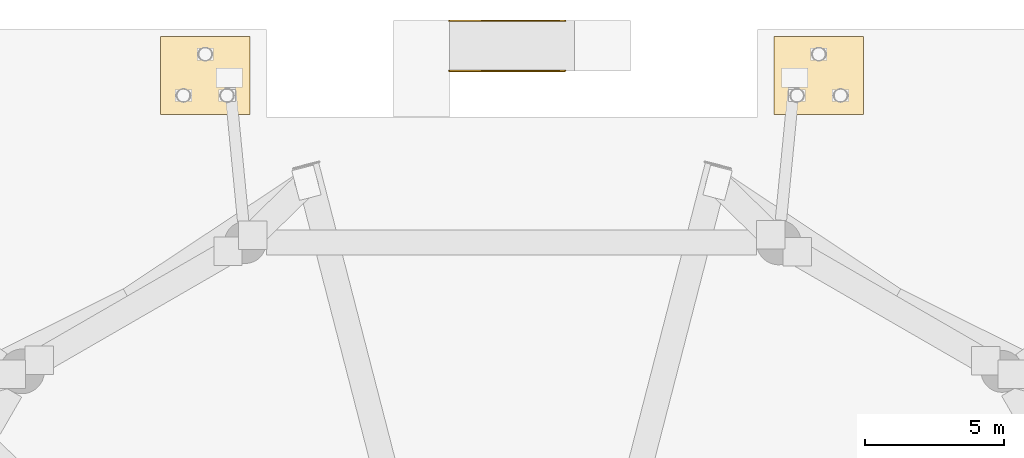
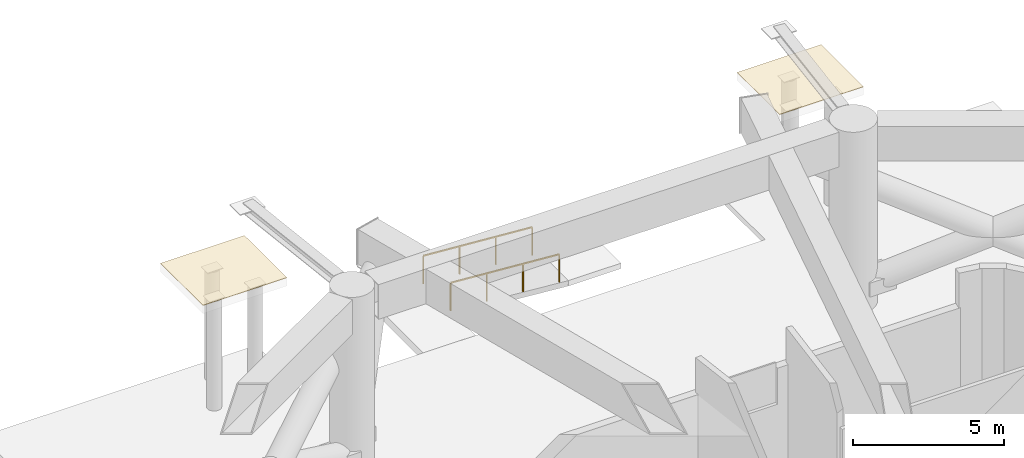
# One storey, part 16 of 17: 2 coverings, 2 railings.
"""IFC4 building model written with IfcOpenShell, lengths in metres."""

from ifc_helpers import new_model, si_unit, direction, frame, origin, origin_2d, place, context, subcontext, project, spatial, polyline, rectangle, outline, extrude, material, layer, layer_set, type_object, element, save


model = new_model("IFC4")

# Units and contexts
model_context = context("Model", 3, precision=1e-05, world=origin(), true_north=direction((0.0, 1.0)))
body_context = subcontext(model_context, "Body", "Model", "MODEL_VIEW")
ifc_project = project(units=[si_unit("LENGTHUNIT", "METRE"), si_unit("AREAUNIT", "SQUARE_METRE"), si_unit("VOLUMEUNIT", "CUBIC_METRE"), si_unit("PLANEANGLEUNIT", "RADIAN"), si_unit("MASSUNIT", "GRAM", prefix="KILO")], contexts=[model_context])

# Site, building, storey
site_placement = place(None, origin())
site = spatial("IfcSite", under=ifc_project, at=site_placement, CompositionType="ELEMENT")
building_placement = place(site_placement, origin())
building = spatial("IfcBuilding", under=site, at=building_placement, Name="Zuhravey Tower", CompositionType="ELEMENT")
storey_placement = place(building_placement, origin())
storey = spatial("IfcBuildingStorey", under=building, at=storey_placement, Name="L01", CompositionType="ELEMENT", Elevation=0.0)

# Railings
ifc_material_1 = material(Name="Stainless steel 316 and laminated glass", Category="steel")
railing_type = type_object("IfcRailingType", Name="Balcony & Terrace Guardrail 1150", PredefinedType="BALUSTRADE", material=ifc_material_1)
for number, where, name in (
    (1, (37.89990234375, 63.9609375, -0.300048828125), "L01 Accessible Ramp 02 Handrail L"),
    (2, (37.89990234375, 65.760986328125, -0.300048828125), "L01 Accessible Ramp 02 Handrail R"),
):
    element("IfcRailing", number, at=place(storey_placement, frame(where)), inside=storey, type_object=railing_type, Name=name, PredefinedType="BALUSTRADE", context=body_context, shape_type="SweptSolid", body=[
        extrude(rectangle(XDim=0.048095703125, YDim=0.048095703125, at=origin_2d()), frame((-0.001953125, 0.0, 1.1259765625), z_axis=(-0.997396369049, 0.0, 0.072114374489), x_axis=(0.0, -1.0, 0.0)), (0.0, 0.0, 1.0), 4.15673828125),
        extrude(rectangle(XDim=0.0419921875, YDim=0.0419921875, at=origin_2d()), origin(), (0.0, 0.0, 1.0), 1.099853515625),
        extrude(rectangle(XDim=0.0419921875, YDim=0.0419921875, at=origin_2d()), frame((-1.38330078125, 0.0, 0.10009765625)), (0.0, 0.0, 1.0), 1.099853515625),
        extrude(rectangle(XDim=0.0419921875, YDim=0.0419921875, at=origin_2d()), frame((-2.7666015625, 0.0, 0.199951171875)), (0.0, 0.0, 1.0), 1.099853515625),
        extrude(rectangle(XDim=0.0419921875, YDim=0.0419921875, at=origin_2d()), frame((-4.14990234375, 0.0, 0.300048828125)), (0.0, 0.0, 1.0), 1.099853515625),
    ])

# Coverings
ifc_material_2 = material(Name="EPDM insulated roof membrane")
ifc_layer = layer(ifc_material_2, 0.01806640625)
ifc_layer_set = layer_set([ifc_layer], Name="EPDM insulated roof membrane")
covering_type = type_object("IfcCoveringType", Name="Roof Waterproofing Membrane", PredefinedType="ROOFING", material=ifc_layer_set)
covering_1_placement = place(storey_placement, frame((0.0, 0.0, 4.7685546875)))
element("IfcCovering", 3, at=covering_1_placement, inside=storey, type_object=covering_type, Name="L01 Canopy Waterproofing Membrane RFM1-N1", PredefinedType="ROOFING", context=body_context, shape_type="SweptSolid", body=[
    extrude(outline(polyline([(23.39990234375, 62.39990234375), (26.60009765625, 62.39990234375), (26.60009765625, 65.199951171875), (23.39990234375, 65.199951171875), (23.39990234375, 62.39990234375)])), origin(), (0.0, 0.0, 1.0), 0.01806640625),
])
covering_2_placement = place(storey_placement, frame((0.0, 0.0, 4.7685546875)))
element("IfcCovering", 4, at=covering_2_placement, inside=storey, type_object=covering_type, Name="L01 Canopy Waterproofing Membrane RFM1-N2", PredefinedType="ROOFING", context=body_context, shape_type="SweptSolid", body=[
    extrude(outline(polyline([(45.39990234375, 62.39990234375), (48.60009765625, 62.39990234375), (48.60009765625, 65.199951171875), (45.39990234375, 65.199951171875), (45.39990234375, 62.39990234375)])), origin(), (0.0, 0.0, 1.0), 0.01806640625),
])

save(model, "model.ifc")
